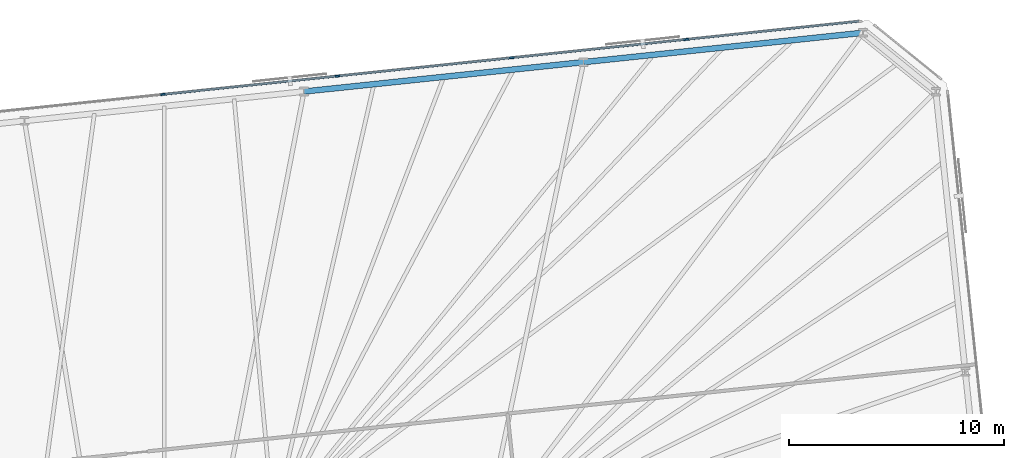
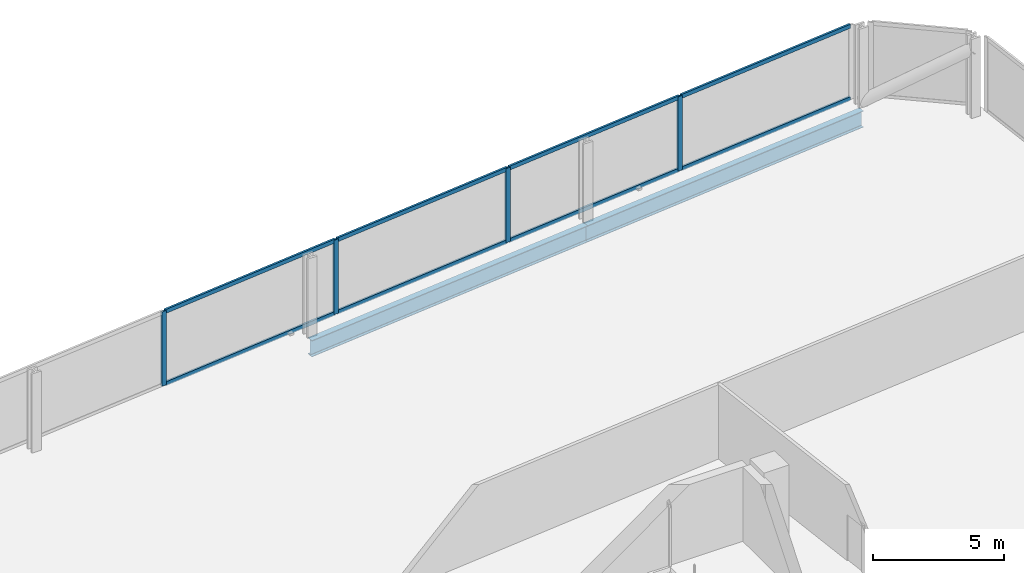
# One storey, part 11 of 17: 12 members, 2 beams, 1 element without a shape of its own.
"""IFC4 building model written with IfcOpenShell, lengths in metres."""

from ifc_helpers import new_model, si_unit, direction, frame, origin, origin_2d, place, context, subcontext, project, spatial, rectangle, i_section, extrude, material, material_profile, profile_set, type_object, element, aggregate, save


model = new_model("IFC4")

# Units and contexts
model_context = context("Model", 3, precision=1e-05, world=origin(), true_north=direction((0.0, 1.0)))
body_context = subcontext(model_context, "Body", "Model", "MODEL_VIEW")
ifc_project = project(units=[si_unit("LENGTHUNIT", "METRE"), si_unit("AREAUNIT", "SQUARE_METRE"), si_unit("VOLUMEUNIT", "CUBIC_METRE"), si_unit("PLANEANGLEUNIT", "RADIAN"), si_unit("MASSUNIT", "GRAM", prefix="KILO")], contexts=[model_context])

# Site, building, storey
site_placement = place(None, origin())
site = spatial("IfcSite", under=ifc_project, at=site_placement, CompositionType="ELEMENT")
building_placement = place(site_placement, origin())
building = spatial("IfcBuilding", under=site, at=building_placement, Name="Menara Jurai Vektor", CompositionType="ELEMENT")
storey_placement = place(building_placement, frame((0.0, 0.0, 87.39990234375)))
storey = spatial("IfcBuildingStorey", under=building, at=storey_placement, Name="L21", CompositionType="ELEMENT", Elevation=87.39990234375)

# Curtain wall, members
ifc_material_1 = material(Name="Anodised Pale Aluminium & Low-E Double Glazing", Category="aluminium")
curtain_wall_type = type_object("IfcCurtainWallType", Name="CW-BLK2", PredefinedType="NOTDEFINED", material=ifc_material_1)
curtain_wall_placement = place(storey_placement, origin())
curtain_wall = element("IfcCurtainWall", 1, at=curtain_wall_placement, inside=storey, type_object=curtain_wall_type, Name="Unitised Curtain Wall L21 F05", PredefinedType="NOTDEFINED")
ifc_material_2 = material(Name="Anodised Pale Aluminium Mullion", Category="aluminium")
ifc_material_profile_1 = material_profile(ifc_material_2, rectangle(XDim=0.090087890625, YDim=0.219970703125, at=origin_2d()), Name="ALU MUL 90x220")
ifc_profile_set_1 = profile_set([ifc_material_profile_1], Name="Anodised Pale Aluminium Mullion")
member_type_1 = type_object("IfcMemberType", Name="CW-BLK2-MUL", PredefinedType="MULLION", material=ifc_profile_set_1)
member_1_placement = place(storey_placement, frame((24.663330078125, 28.075927734375, 0.0), z_axis=(0.0, 0.0, 1.0), x_axis=(0.104528634935, -0.994521877325, 0.0)))
member_1 = element("IfcMember", 2, at=member_1_placement, type_object=member_type_1, Name="CW-02 mullion 2", PredefinedType="MULLION", context=body_context, shape_type="SweptSolid", body=[
    extrude(rectangle(XDim=0.090087890625, YDim=0.219970703125, at=origin_2d()), origin(), (0.0, 0.0, 1.0), 3.47509765625),
])
member_2_placement = place(storey_placement, frame((16.5654296875, 27.224853515625, 0.0), z_axis=(0.0, 0.0, 1.0), x_axis=(0.104528634935, -0.994521877325, 0.0)))
member_2 = element("IfcMember", 3, at=member_2_placement, type_object=member_type_1, Name="CW-02 mullion 3", PredefinedType="MULLION", context=body_context, shape_type="SweptSolid", body=[
    extrude(rectangle(XDim=0.090087890625, YDim=0.219970703125, at=origin_2d()), origin(), (0.0, 0.0, 1.0), 3.47509765625),
])
member_3_placement = place(storey_placement, frame((8.467529296875, 26.373779296875, 0.0), z_axis=(0.0, 0.0, 1.0), x_axis=(0.104528634935, -0.994521877325, 0.0)))
member_3 = element("IfcMember", 4, at=member_3_placement, type_object=member_type_1, Name="CW-02 mullion 4", PredefinedType="MULLION", context=body_context, shape_type="SweptSolid", body=[
    extrude(rectangle(XDim=0.090087890625, YDim=0.219970703125, at=origin_2d()), origin(), (0.0, 0.0, 1.0), 3.47509765625),
])
member_4_placement = place(storey_placement, frame((0.36962890625, 25.522705078125, 0.0), z_axis=(0.0, 0.0, 1.0), x_axis=(0.104528634935, -0.994521877325, 0.0)))
member_4 = element("IfcMember", 5, at=member_4_placement, type_object=member_type_1, Name="CW-02 mullion 5", PredefinedType="MULLION", context=body_context, shape_type="SweptSolid", body=[
    extrude(rectangle(XDim=0.090087890625, YDim=0.219970703125, at=origin_2d()), origin(), (0.0, 0.0, 1.0), 3.47509765625),
])
ifc_material_3 = material(Name="Anodised Pale Aluminium Transom", Category="aluminium")
ifc_material_profile_2 = material_profile(ifc_material_3, rectangle(XDim=0.090087890625, YDim=0.18505859375, at=origin_2d()), Name="ALU TRN 90x185")
ifc_profile_set_2 = profile_set([ifc_material_profile_2], Name="Anodised Pale Aluminium Transom")
member_type_2 = type_object("IfcMemberType", Name="CW-BLK2-TRN", PredefinedType="USERDEFINED", material=ifc_profile_set_2)
member_5_placement = place(storey_placement, frame((32.671875, 28.917724609375, 0.045166015625), z_axis=(-0.994519977808, -0.104546706027, 0.0), x_axis=(0.104546706027, -0.994519977808, 0.0)))
member_5 = element("IfcMember", 6, at=member_5_placement, type_object=member_type_2, Name="CW-02 transom 1.1", ObjectType="TRANSOM", PredefinedType="USERDEFINED", context=body_context, shape_type="SweptSolid", body=[
    extrude(rectangle(XDim=0.090087890625, YDim=0.18505859375, at=origin_2d()), origin(), (0.0, 0.0, 1.0), 8.007568359375),
])
member_6_placement = place(storey_placement, frame((32.671875, 28.917724609375, 3.43017578125), z_axis=(-0.994519977808, -0.104546706027, 0.0), x_axis=(0.104546706027, -0.994519977808, 0.0)))
member_6 = element("IfcMember", 7, at=member_6_placement, type_object=member_type_2, Name="CW-02 transom 1.2", ObjectType="TRANSOM", PredefinedType="USERDEFINED", context=body_context, shape_type="SweptSolid", body=[
    extrude(rectangle(XDim=0.090087890625, YDim=0.18505859375, at=origin_2d()), origin(), (0.0, 0.0, 1.0), 8.007568359375),
])
member_7_placement = place(storey_placement, frame((24.61865234375, 28.0712890625, 0.045166015625), z_axis=(-0.994520726373, -0.10453958492, 0.0), x_axis=(0.10453958492, -0.994520726373, 0.0)))
member_7 = element("IfcMember", 8, at=member_7_placement, type_object=member_type_2, Name="CW-02 transom 2.1", ObjectType="TRANSOM", PredefinedType="USERDEFINED", context=body_context, shape_type="SweptSolid", body=[
    extrude(rectangle(XDim=0.090087890625, YDim=0.18505859375, at=origin_2d()), origin(), (0.0, 0.0, 1.0), 8.052490234375),
])
member_8_placement = place(storey_placement, frame((24.61865234375, 28.0712890625, 3.43017578125), z_axis=(-0.994520726373, -0.10453958492, 0.0), x_axis=(0.10453958492, -0.994520726373, 0.0)))
member_8 = element("IfcMember", 9, at=member_8_placement, type_object=member_type_2, Name="CW-02 transom 2.2", ObjectType="TRANSOM", PredefinedType="USERDEFINED", context=body_context, shape_type="SweptSolid", body=[
    extrude(rectangle(XDim=0.090087890625, YDim=0.18505859375, at=origin_2d()), origin(), (0.0, 0.0, 1.0), 8.052490234375),
])
member_9_placement = place(storey_placement, frame((16.520751953125, 27.22021484375, 0.045166015625), z_axis=(-0.994520726373, -0.10453958492, 0.0), x_axis=(0.10453958492, -0.994520726373, 0.0)))
member_9 = element("IfcMember", 10, at=member_9_placement, type_object=member_type_2, Name="CW-02 transom 3.1", ObjectType="TRANSOM", PredefinedType="USERDEFINED", context=body_context, shape_type="SweptSolid", body=[
    extrude(rectangle(XDim=0.090087890625, YDim=0.18505859375, at=origin_2d()), origin(), (0.0, 0.0, 1.0), 8.052490234375),
])
member_10_placement = place(storey_placement, frame((16.520751953125, 27.22021484375, 3.43017578125), z_axis=(-0.994520726373, -0.10453958492, 0.0), x_axis=(0.10453958492, -0.994520726373, 0.0)))
member_10 = element("IfcMember", 11, at=member_10_placement, type_object=member_type_2, Name="CW-02 transom 3.2", ObjectType="TRANSOM", PredefinedType="USERDEFINED", context=body_context, shape_type="SweptSolid", body=[
    extrude(rectangle(XDim=0.090087890625, YDim=0.18505859375, at=origin_2d()), origin(), (0.0, 0.0, 1.0), 8.052490234375),
])
member_11_placement = place(storey_placement, frame((8.4228515625, 26.369140625, 0.045166015625), z_axis=(-0.994520726373, -0.10453958492, 0.0), x_axis=(0.10453958492, -0.994520726373, 0.0)))
member_11 = element("IfcMember", 12, at=member_11_placement, type_object=member_type_2, Name="CW-02 transom 4.1", ObjectType="TRANSOM", PredefinedType="USERDEFINED", context=body_context, shape_type="SweptSolid", body=[
    extrude(rectangle(XDim=0.090087890625, YDim=0.18505859375, at=origin_2d()), origin(), (0.0, 0.0, 1.0), 8.052490234375),
])
member_12_placement = place(storey_placement, frame((8.4228515625, 26.369140625, 3.43017578125), z_axis=(-0.994520726373, -0.10453958492, 0.0), x_axis=(0.10453958492, -0.994520726373, 0.0)))
member_12 = element("IfcMember", 13, at=member_12_placement, type_object=member_type_2, Name="CW-02 transom 4.2", ObjectType="TRANSOM", PredefinedType="USERDEFINED", context=body_context, shape_type="SweptSolid", body=[
    extrude(rectangle(XDim=0.090087890625, YDim=0.18505859375, at=origin_2d()), origin(), (0.0, 0.0, 1.0), 8.052490234375),
])
aggregate(curtain_wall, [member_1, member_2, member_3, member_4, member_5, member_6, member_7, member_8, member_9, member_10, member_11, member_12])

# Beams
ifc_material_4 = material(Name="Steel S460", Category="steel")
ifc_material_profile_3 = material_profile(ifc_material_4, i_section(OverallWidth=0.26806640625, OverallDepth=0.77001953125, WebThickness=0.01611328125, FlangeThickness=0.02490234375, FilletRadius=0.01708984375, at=origin_2d()), Name="UKB 762x267x197")
ifc_profile_set_3 = profile_set([ifc_material_profile_3], Name="Steel S460")
beam_type = type_object("IfcBeamType", Name="STR-SP-762", PredefinedType="SPANDREL", material=ifc_profile_set_3)
beam_1_placement = place(storey_placement, frame((32.876220703125, 28.38623046875, -0.60986328125), z_axis=(-0.994521431679, -0.104532874882, 0.0), x_axis=(0.104532874882, -0.994521431679, 0.0)))
element("IfcBeam", 14, at=beam_1_placement, inside=storey, type_object=beam_type, Name="Exoskeleton Spandrel Beam L21-11", PredefinedType="SPANDREL", context=body_context, shape_type="SweptSolid", body=[
    extrude(i_section(OverallWidth=0.26806640625, OverallDepth=0.77001953125, WebThickness=0.01611328125, FlangeThickness=0.02490234375, FilletRadius=0.01708984375, at=origin_2d()), origin(), (0.0, 0.0, 1.0), 13.051025390625),
])
beam_2_placement = place(storey_placement, frame((19.896728515625, 27.02197265625, -0.60986328125), z_axis=(-0.994521636083, -0.104530930169, 0.0), x_axis=(0.104530930169, -0.994521636083, 0.0)))
element("IfcBeam", 15, at=beam_2_placement, inside=storey, type_object=beam_type, Name="Exoskeleton Spandrel Beam L21-12", PredefinedType="SPANDREL", context=body_context, shape_type="SweptSolid", body=[
    extrude(i_section(OverallWidth=0.26806640625, OverallDepth=0.77001953125, WebThickness=0.01611328125, FlangeThickness=0.02490234375, FilletRadius=0.01708984375, at=origin_2d()), origin(), (0.0, 0.0, 1.0), 13.05126953125),
])

save(model, "model.ifc")
